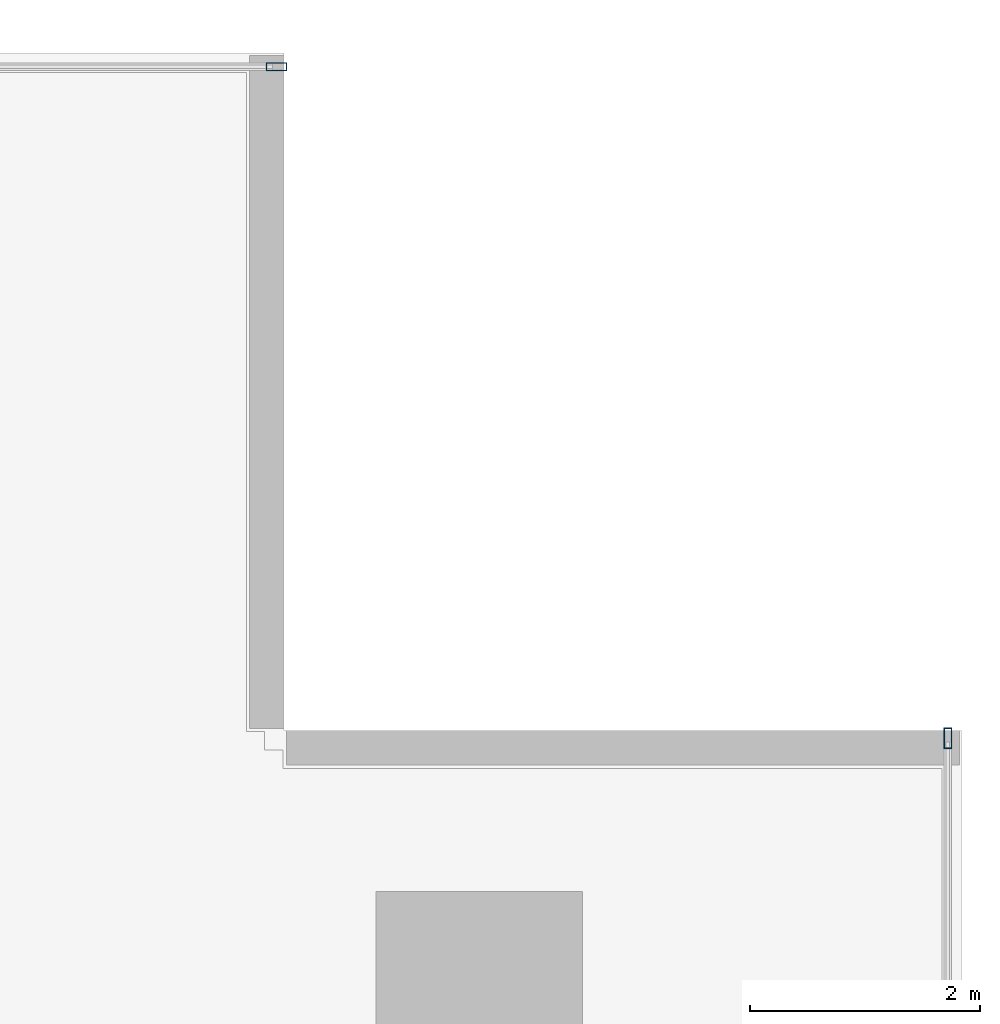
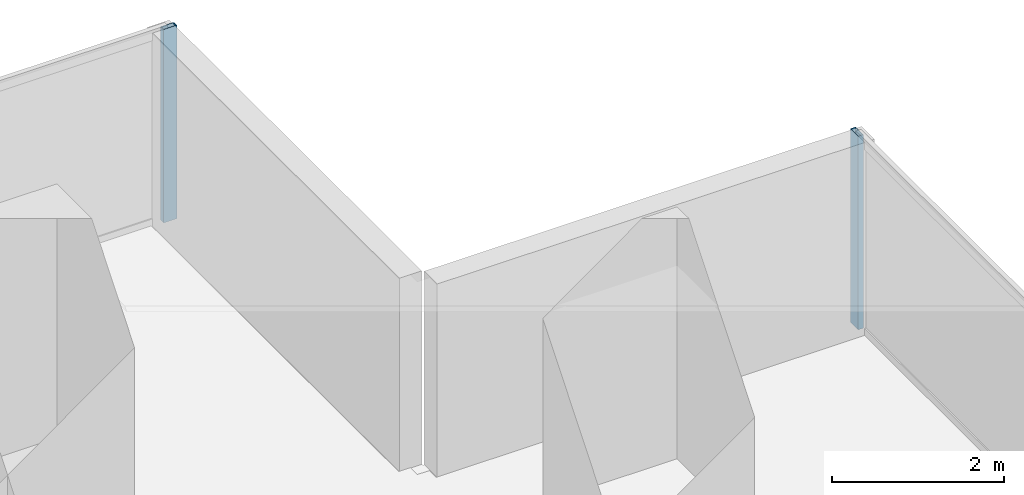
# One storey, part 22 of 32: 2 members, 2 elements without a shape of their own.
"""IFC4 building model written with IfcOpenShell, lengths in metres."""

from ifc_helpers import new_model, si_unit, direction, frame, origin, origin_2d, place, context, subcontext, project, spatial, hollow_rectangle, extrude, source, transform, mapped, material, layer, layer_set, material_profile, profile_set, type_object, element, aggregate, save


model = new_model("IFC4")

# Units and contexts
model_context = context("Model", 3, precision=1e-05, world=origin(), true_north=direction((0.0, 1.0)))
body_context = subcontext(model_context, "Body", "Model", "MODEL_VIEW")
ifc_project = project(units=[si_unit("LENGTHUNIT", "METRE"), si_unit("AREAUNIT", "SQUARE_METRE"), si_unit("VOLUMEUNIT", "CUBIC_METRE"), si_unit("PLANEANGLEUNIT", "RADIAN"), si_unit("MASSUNIT", "GRAM", prefix="KILO")], contexts=[model_context])

# Site, building, storey
site_placement = place(None, origin())
site = spatial("IfcSite", under=ifc_project, at=site_placement, CompositionType="ELEMENT")
building_placement = place(site_placement, origin())
building = spatial("IfcBuilding", under=site, at=building_placement, Name="Sumidabori Civic Tower", CompositionType="ELEMENT")
storey_placement = place(building_placement, frame((0.0, 0.0, 48.800048828125)))
storey = spatial("IfcBuildingStorey", under=building, at=storey_placement, Name="L12", CompositionType="ELEMENT", Elevation=48.800048828125)

# Curtain wall, member
ifc_material = material(Name="Anodised Bronze Aluminium AW-6063-T6", Category="aluminium")
ifc_layer = layer(ifc_material, 0.179931640625, Name="Anodised Bronze Aluminium AW-6063-T6")
ifc_layer_set = layer_set([ifc_layer], Name="Anodised Bronze Aluminium AW-6063-T6")
curtain_wall_type = type_object("IfcCurtainWallType", Name="CW-SYS-2", PredefinedType="NOTDEFINED", material=ifc_layer_set)
curtain_wall_1_placement = place(storey_placement, origin())
curtain_wall_1 = element("IfcCurtainWall", 1, at=curtain_wall_1_placement, inside=storey, type_object=curtain_wall_type, Name="Curtain Wall CW:L12:R04", PredefinedType="NOTDEFINED")
ifc_material_profile = material_profile(ifc_material, hollow_rectangle(XDim=0.070068359375, YDim=0.179931640625, WallThickness=0.006103515625, at=origin_2d()), Name="ALU MULLION 180x70")
ifc_profile_set = profile_set([ifc_material_profile], Name="Anodised Bronze Aluminium AW-6063-T6")
member_type = type_object("IfcMemberType", Name="CW-MUL-180", PredefinedType="MULLION", material=ifc_profile_set)
shared_shape = source(origin(), body_context, "Body", "SweptSolid", [
    extrude(hollow_rectangle(XDim=0.070068359375, YDim=0.179931640625, WallThickness=0.006103515625, at=origin_2d()), origin(), (0.0, 0.0, 1.0), 2.739990234375),
])
member_1_placement = place(storey_placement, frame((26.8798828125, 21.034912109375, 0.0), z_axis=(0.0, 0.0, 1.0), x_axis=(-1.0, 0.0, 0.0)))
member_1 = element("IfcMember", 2, at=member_1_placement, type_object=member_type, Name="CW-2 mullion 6", PredefinedType="MULLION", context=body_context, shape_type="MappedRepresentation", body=[
    mapped(shared_shape, transform((0.0, 0.0, 0.0), x_axis=(1.0, 0.0, 0.0), y_axis=(0.0, 1.0, 0.0), z_axis=(0.0, 0.0, 1.0), scale=1.0)),
])
aggregate(curtain_wall_1, [member_1])

curtain_wall_2_placement = place(storey_placement, origin())
curtain_wall_2 = element("IfcCurtainWall", 3, at=curtain_wall_2_placement, inside=storey, type_object=curtain_wall_type, Name="Curtain Wall CW:L12:R07", PredefinedType="NOTDEFINED")
member_2_placement = place(storey_placement, frame((21.034912109375, 26.8798828125, 0.0), z_axis=(0.0, 0.0, 1.0), x_axis=(0.0, -1.0, 0.0)))
member_2 = element("IfcMember", 4, at=member_2_placement, type_object=member_type, Name="CW-2 mullion 1", PredefinedType="MULLION", context=body_context, shape_type="MappedRepresentation", body=[
    mapped(shared_shape, transform((0.0, 0.0, 0.0), x_axis=(1.0, 0.0, 0.0), y_axis=(0.0, 1.0, 0.0), z_axis=(0.0, 0.0, 1.0), scale=1.0)),
])
aggregate(curtain_wall_2, [member_2])

save(model, "model.ifc")
